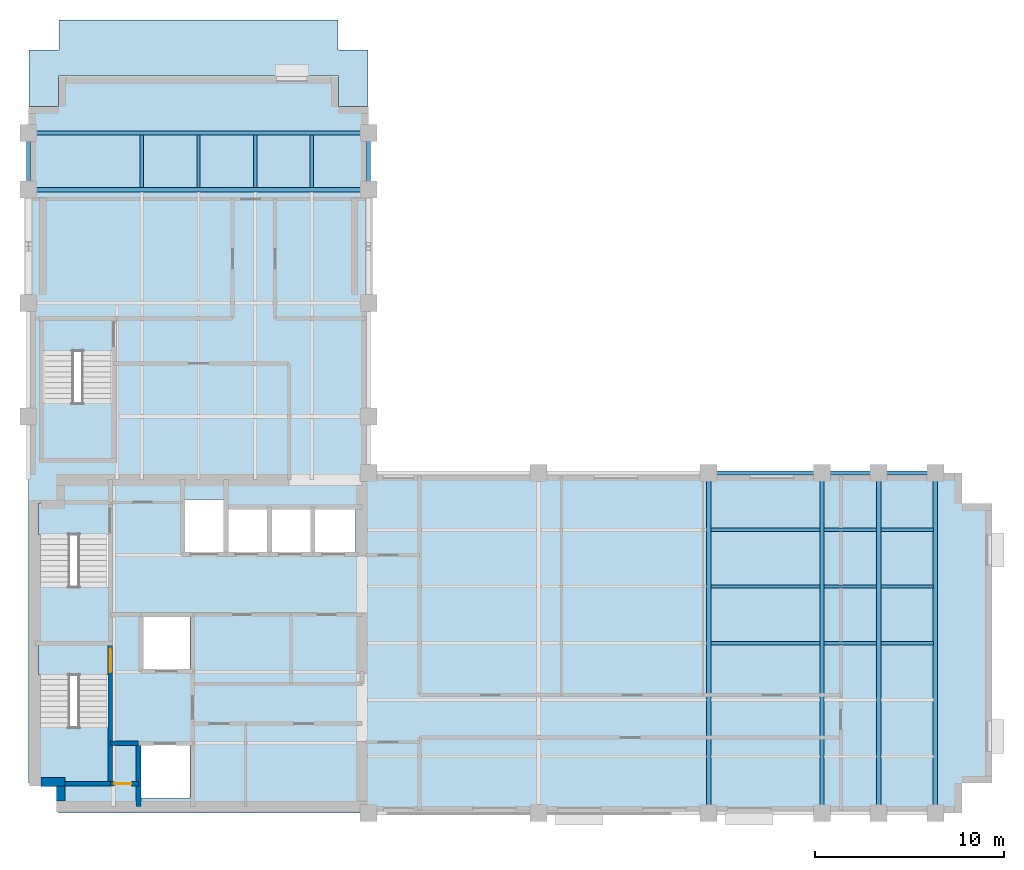
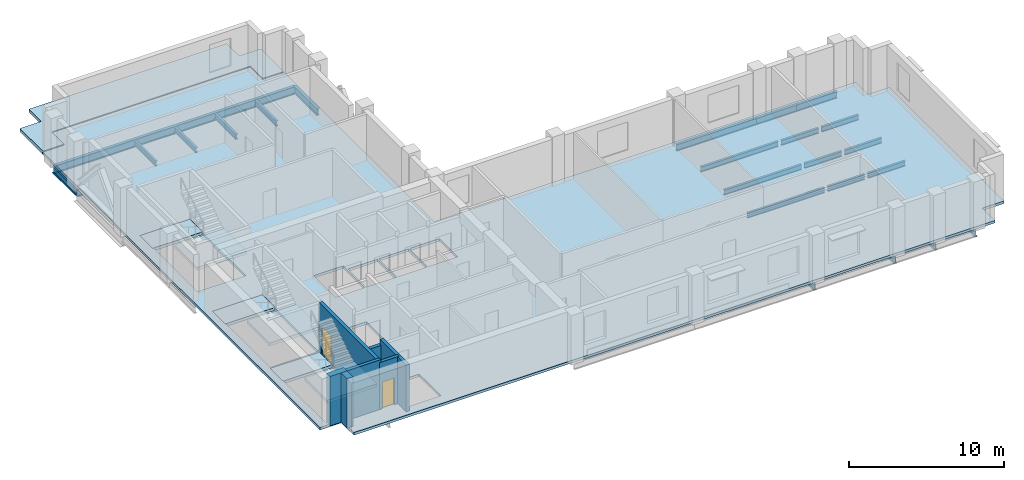
# One storey, part 2 of 6: 24 beams, 8 slabs, 7 walls, 2 doors, 2 openings, 3 elements without a shape of their own.
"""IFC4 building model written with IfcOpenShell, lengths in metres."""

import ifcopenshell
import ifcopenshell.guid

model = None  # the IFC model being written
_history = None  # IfcOwnerHistory: only IFC2X3 demands one
_inside = {}  # id of a spatial element -> (the spatial element, [elements in it])
_under = {}  # id of a project, library or spatial element -> (it, [spatial elements below it])
_declared = {}  # id of a project -> (the project, [libraries it declares])
_typed = {}  # id of a type object -> (the type object, [elements of that type])
_made_of = {}  # id of a material, layer set ... -> (it, [elements and type objects made of it])


def new_model(schema):
    """Start an empty IFC model of exactly this schema.

    Asked for "IFC4X3", IfcOpenShell would pick the latest addendum, in which some entities
    have other attributes; the version numbers below select the first issue.
    IFC2X3 requires an IfcOwnerHistory on every rooted entity: one is made here for all.
    """
    global model, _history
    if schema == "IFC4X3":
        model = ifcopenshell.file(schema_version=(4, 3, 0, 0))
    else:
        model = ifcopenshell.file(schema=schema)
    _inside.clear()
    _under.clear()
    _declared.clear()
    _typed.clear()
    _made_of.clear()
    _history = None
    if model.schema == "IFC2X3":
        org = make("IfcOrganization", Name="unknown")
        user = make(
            "IfcPersonAndOrganization",
            ThePerson=make("IfcPerson", FamilyName="unknown"),
            TheOrganization=org,
        )
        app = make(
            "IfcApplication",
            ApplicationDeveloper=org,
            Version="unknown",
            ApplicationFullName="unknown",
            ApplicationIdentifier="unknown",
        )
        _history = make(
            "IfcOwnerHistory",
            OwningUser=user,
            OwningApplication=app,
            ChangeAction="ADDED",
            CreationDate=0,
        )
    return model


def make(cls, **values):
    """One entity of the class cls with the attributes given. An attribute that is None is left unset."""
    return model.create_entity(
        cls, **{name: value for name, value in values.items() if value is not None}
    )


def rooted(cls, **values):
    """An entity with a GlobalId (a new one), such as an element, a storey or a relation."""
    return make(cls, GlobalId=ifcopenshell.guid.new(), OwnerHistory=_history, **values)


def si_unit(unit_type, name, prefix=None):
    """IfcSIUnit, for example si_unit("LENGTHUNIT", "METRE", prefix="MILLI")."""
    return make("IfcSIUnit", UnitType=unit_type, Prefix=prefix, Name=name)


def assignment(units):
    """IfcUnitAssignment: the units of a project."""
    return None if units is None else make("IfcUnitAssignment", Units=units)


def point(xyz):
    """IfcCartesianPoint."""
    return None if xyz is None else make("IfcCartesianPoint", Coordinates=xyz)


def direction(xyz):
    """IfcDirection."""
    return None if xyz is None else make("IfcDirection", DirectionRatios=xyz)


def frame(location, z_axis=None, x_axis=None):
    """IfcAxis2Placement3D, a coordinate frame: its origin and axes. An axis left out is left unset."""
    return make(
        "IfcAxis2Placement3D",
        Location=point(location),
        Axis=direction(z_axis),
        RefDirection=direction(x_axis),
    )


def frame_2d(location, x_axis=None):
    """IfcAxis2Placement2D, a coordinate frame in the plane: its origin and x axis."""
    return make(
        "IfcAxis2Placement2D", Location=point(location), RefDirection=direction(x_axis)
    )


def origin():
    """The frame at (0, 0, 0) with its axes left unset."""
    return frame((0.0, 0.0, 0.0))


def origin_2d():
    """The frame at (0, 0) in the plane with its x axis left unset."""
    return frame_2d((0.0, 0.0))


def place(relative_to, where):
    """IfcLocalPlacement: puts the frame where relative to a parent placement (None: the world)."""
    return make(
        "IfcLocalPlacement", PlacementRelTo=relative_to, RelativePlacement=where
    )


def context(
    kind, dimensions, precision=None, world=None, true_north=None, identifier=None
):
    """IfcGeometricRepresentationContext, for example the 3D "Model" context."""
    return make(
        "IfcGeometricRepresentationContext",
        ContextIdentifier=identifier,
        ContextType=kind,
        CoordinateSpaceDimension=dimensions,
        Precision=precision,
        WorldCoordinateSystem=world,
        TrueNorth=true_north,
    )


def subcontext(parent, identifier, kind, view, scale=None):
    """IfcGeometricRepresentationSubContext, for example "Body" below "Model"."""
    return make(
        "IfcGeometricRepresentationSubContext",
        ContextIdentifier=identifier,
        ContextType=kind,
        ParentContext=parent,
        TargetScale=scale,
        TargetView=view,
    )


def project(units=None, contexts=None):
    """IfcProject with its units and contexts."""
    return rooted(
        "IfcProject",
        Name="project",
        RepresentationContexts=contexts,
        UnitsInContext=assignment(units),
    )


def spatial(cls, under=None, at=None, **own):
    """A site, building, storey or space (cls), placed at a placement, below another one or the project."""
    s = rooted(cls, ObjectPlacement=at, **own)
    if under is not None:
        _under.setdefault(under.id(), (under, []))[1].append(s)
    return s


def polyline(points):
    """IfcPolyline through the points."""
    return make("IfcPolyline", Points=[point(p) for p in points])


def profile(cls, at=None, kind="AREA", **sizes):
    """A parametric profile (cls). Its sizes go by their IFC names, for example OverallWidth=200.0."""
    return make(cls, ProfileType=kind, Position=at, **sizes)


def rectangle(**sizes):
    """IfcRectangleProfileDef."""
    return profile("IfcRectangleProfileDef", **sizes)


def i_section(**sizes):
    """IfcIShapeProfileDef."""
    return profile("IfcIShapeProfileDef", **sizes)


def outline(outer, holes=None, kind="AREA"):
    """IfcArbitraryClosedProfileDef: a profile drawn as a closed curve; with holes, ...WithVoids."""
    if holes is None:
        return make("IfcArbitraryClosedProfileDef", ProfileType=kind, OuterCurve=outer)
    return make(
        "IfcArbitraryProfileDefWithVoids",
        ProfileType=kind,
        OuterCurve=outer,
        InnerCurves=holes,
    )


def extrude(swept, where, along, depth):
    """IfcExtrudedAreaSolid: the profile swept, set in the frame where, extruded along a direction by depth."""
    return make(
        "IfcExtrudedAreaSolid",
        SweptArea=swept,
        Position=where,
        ExtrudedDirection=direction(along),
        Depth=depth,
    )


def shape(context_of_items, identifier, shape_type, items):
    """IfcShapeRepresentation: the items that make up one representation, for example the "Body"."""
    return make(
        "IfcShapeRepresentation",
        ContextOfItems=context_of_items,
        RepresentationIdentifier=identifier,
        RepresentationType=shape_type,
        Items=items,
    )


def material(Name=None, Category=None):
    """IfcMaterial."""
    return make("IfcMaterial", Name=Name, Category=Category)


def layer(
    of_material, thickness, ventilated=None, Name=None, Category=None, Priority=None
):
    """IfcMaterialLayer: one layer of a wall or slab, of a material (None: an air gap)."""
    return make(
        "IfcMaterialLayer",
        Material=of_material,
        LayerThickness=thickness,
        IsVentilated=ventilated,
        Name=Name,
        Category=Category,
        Priority=Priority,
    )


def layer_set(layers, Name=None):
    """IfcMaterialLayerSet."""
    return make("IfcMaterialLayerSet", MaterialLayers=layers, LayerSetName=Name)


def material_profile(
    of_material, cross_section, Name=None, Category=None, Priority=None
):
    """IfcMaterialProfile: a cross section and its material."""
    return make(
        "IfcMaterialProfile",
        Name=Name,
        Material=of_material,
        Profile=cross_section,
        Priority=Priority,
        Category=Category,
    )


def profile_set(profiles, Name=None, composite=None):
    """IfcMaterialProfileSet."""
    return make(
        "IfcMaterialProfileSet",
        Name=Name,
        MaterialProfiles=profiles,
        CompositeProfile=composite,
    )


def made_of(thing, what):
    """Note that an element or type object is made of a material, layer set ...; save() writes the relation."""
    if what is not None:
        _made_of.setdefault(what.id(), (what, []))[1].append(thing)
    return thing


def type_object(cls, material=None, **own):
    """A type object (cls), such as IfcWallType, which elements share."""
    return made_of(rooted(cls, **own), material)


def element(
    cls,
    number,
    at=None,
    inside=None,
    cuts=None,
    type_object=None,
    material=None,
    context=None,
    identifier="Body",
    shape_type=None,
    held_by="IfcProductDefinitionShape",
    body=None,
    shapes=None,
    **own,
):
    """One element of the class cls, such as IfcWall. Its Tag is "e" and its number.

    at: its placement. inside: the storey or other place that contains it. cuts: it is an
    opening in that element (IfcRelVoidsElement). A single representation is given by context,
    identifier, shape_type and body (its items); several are given by shapes. held_by: the class
    of the entity that holds the representations. save() writes the other relations.
    """
    e = rooted(cls, Tag="e%d" % number, ObjectPlacement=at, **own)
    if body is not None:
        shapes = [shape(context, identifier, shape_type, body)]
    if shapes is not None:
        e.Representation = make(held_by, Representations=shapes)
    if inside is not None:
        _inside.setdefault(inside.id(), (inside, []))[1].append(e)
    if cuts is not None:
        rooted(
            "IfcRelVoidsElement", RelatingBuildingElement=cuts, RelatedOpeningElement=e
        )
    if type_object is not None:
        _typed.setdefault(type_object.id(), (type_object, []))[1].append(e)
    return made_of(e, material)


def fill(opening, filler):
    """IfcRelFillsElement: the door or window that sits in an opening."""
    return rooted(
        "IfcRelFillsElement",
        RelatingOpeningElement=opening,
        RelatedBuildingElement=filler,
    )


def aggregate(whole, parts):
    """IfcRelAggregates: a whole, such as a stair, and the parts it consists of."""
    return rooted("IfcRelAggregates", RelatingObject=whole, RelatedObjects=parts)


def save(model, path):
    """Write the relations noted so far, then the file.

    IfcRelAggregates (storeys below a building ...), IfcRelContainedInSpatialStructure (elements
    in a storey), IfcRelDefinesByType, IfcRelAssociatesMaterial and IfcRelDeclares: one each for
    every whole, place, type object, material and project.
    """
    for whole, parts in _under.values():
        aggregate(whole, parts)
    for where, things in _inside.values():
        rooted(
            "IfcRelContainedInSpatialStructure",
            RelatedElements=things,
            RelatingStructure=where,
        )
    for kind, things in _typed.values():
        rooted("IfcRelDefinesByType", RelatedObjects=things, RelatingType=kind)
    for what, things in _made_of.values():
        rooted("IfcRelAssociatesMaterial", RelatedObjects=things, RelatingMaterial=what)
    for by, libraries in _declared.values():
        rooted("IfcRelDeclares", RelatingContext=by, RelatedDefinitions=libraries)
    model.write(path)


model = new_model("IFC4")

# Units and contexts
model_context = context("Model", 3, precision=1e-05, world=origin(), true_north=direction((0.0, 1.0)))
body_context = subcontext(model_context, "Body", "Model", "MODEL_VIEW")
ifc_project = project(units=[si_unit("LENGTHUNIT", "METRE"), si_unit("AREAUNIT", "SQUARE_METRE"), si_unit("VOLUMEUNIT", "CUBIC_METRE"), si_unit("PLANEANGLEUNIT", "RADIAN"), si_unit("MASSUNIT", "GRAM", prefix="KILO")], contexts=[model_context])

# Site, building, storey
site_placement = place(None, origin())
site = spatial("IfcSite", under=ifc_project, at=site_placement, CompositionType="ELEMENT")
building_placement = place(site_placement, origin())
building = spatial("IfcBuilding", under=site, at=building_placement, Name="Mawjdan Bourse Tower", CompositionType="ELEMENT")
storey_placement = place(building_placement, frame((0.0, 0.0, 199.5)))
storey = spatial("IfcBuildingStorey", under=building, at=storey_placement, Name="L48", CompositionType="ELEMENT", Elevation=199.5)

# Beams
ifc_material_1 = material(Name="Structural Steel S355", Category="steel")
ifc_material_profile_1 = material_profile(ifc_material_1, i_section(OverallWidth=0.22998046875, OverallDepth=0.616943359375, WebThickness=0.01318359375, FlangeThickness=0.022216796875, FilletRadius=0.017822265625, at=origin_2d()), Name="W24X94")
ifc_profile_set_1 = profile_set([ifc_material_profile_1], Name="Structural Steel S355")
beam_type_1 = type_object("IfcBeamType", Name="GRD-W24X94", PredefinedType="BEAM", material=ifc_profile_set_1)
for number, where, z_axis, x_axis, name in (
    (1, (42.0, 3.0, -0.508544921875), (0.0, 1.0, 0.0), (-1.0, 0.0, 0.0), "L48 East Wing Clear-Span Girder 003"),
    (2, (48.0, 3.0, -0.508544921875), (0.0, 1.0, 0.0), (-1.0, 0.0, 0.0), "L48 East Wing Clear-Span Girder 004"),
    (3, (51.0, 3.0, -0.508544921875), (0.0, 1.0, 0.0), (-1.0, 0.0, 0.0), "L48 East Wing Clear-Span Girder 005"),
    (4, (54.0, 3.0, -0.508544921875), (0.0, 1.0, 0.0), (-1.0, 0.0, 0.0), "L48 East Wing Clear-Span Girder 006"),
    (5, (6.0, 36.0, -0.508544921875), (1.0, 0.0, 0.0), (0.0, 1.0, 0.0), "L48 North Wing Clear-Span Girder 049"),
    (6, (6.0, 39.0, -0.508544921875), (1.0, 0.0, 0.0), (0.0, 1.0, 0.0), "L48 North Wing Clear-Span Girder 050"),
):
    element("IfcBeam", number, at=place(storey_placement, frame(where, z_axis=z_axis, x_axis=x_axis)), inside=storey, type_object=beam_type_1, Name=name, PredefinedType="BEAM", context=body_context, shape_type="SweptSolid", body=[
        extrude(i_section(OverallWidth=0.22998046875, OverallDepth=0.616943359375, WebThickness=0.01318359375, FlangeThickness=0.022216796875, FilletRadius=0.017822265625, at=origin_2d()), origin(), (0.0, 0.0, 1.0), 18.0),
    ])
ifc_material_profile_2 = material_profile(ifc_material_1, i_section(OverallWidth=0.177978515625, OverallDepth=0.406982421875, WebThickness=0.0078125, FlangeThickness=0.0126953125, FilletRadius=0.01025390625, at=origin_2d()), Name="W16X40")
ifc_profile_set_2 = profile_set([ifc_material_profile_2], Name="Structural Steel S355")
beam_type_2 = type_object("IfcBeamType", Name="JST-W16X40", PredefinedType="JOIST", material=ifc_profile_set_2)
beam_1_placement = place(storey_placement, frame((42.113037109375, 12.0, -0.403564453125), z_axis=(1.0, 0.0, 0.0), x_axis=(0.0, 1.0, 0.0)))
element("IfcBeam", 7, at=beam_1_placement, inside=storey, type_object=beam_type_2, Name="L48 East Wing Composite Joist 029", PredefinedType="JOIST", context=body_context, shape_type="SweptSolid", body=[
    extrude(i_section(OverallWidth=0.177978515625, OverallDepth=0.406982421875, WebThickness=0.0078125, FlangeThickness=0.0126953125, FilletRadius=0.01025390625, at=origin_2d()), origin(), (0.0, 0.0, 1.0), 5.77392578125),
])
for number, where, z_axis, x_axis, name in (
    (8, (48.113037109375, 12.0, -0.403564453125), (1.0, 0.0, 0.0), (0.0, 1.0, 0.0), "L48 East Wing Composite Joist 030"),
    (9, (51.113037109375, 12.0, -0.403564453125), (1.0, 0.0, 0.0), (0.0, 1.0, 0.0), "L48 East Wing Composite Joist 031"),
):
    element("IfcBeam", number, at=place(storey_placement, frame(where, z_axis=z_axis, x_axis=x_axis)), inside=storey, type_object=beam_type_2, Name=name, PredefinedType="JOIST", context=body_context, shape_type="SweptSolid", body=[
        extrude(i_section(OverallWidth=0.177978515625, OverallDepth=0.406982421875, WebThickness=0.0078125, FlangeThickness=0.0126953125, FilletRadius=0.01025390625, at=origin_2d()), origin(), (0.0, 0.0, 1.0), 2.77392578125),
    ])
beam_2_placement = place(storey_placement, frame((42.113037109375, 15.0, -0.403564453125), z_axis=(1.0, 0.0, 0.0), x_axis=(0.0, 1.0, 0.0)))
element("IfcBeam", 10, at=beam_2_placement, inside=storey, type_object=beam_type_2, Name="L48 East Wing Composite Joist 034", PredefinedType="JOIST", context=body_context, shape_type="SweptSolid", body=[
    extrude(i_section(OverallWidth=0.177978515625, OverallDepth=0.406982421875, WebThickness=0.0078125, FlangeThickness=0.0126953125, FilletRadius=0.01025390625, at=origin_2d()), origin(), (0.0, 0.0, 1.0), 5.77392578125),
])
for number, where, z_axis, x_axis, name in (
    (11, (48.113037109375, 15.0, -0.403564453125), (1.0, 0.0, 0.0), (0.0, 1.0, 0.0), "L48 East Wing Composite Joist 035"),
    (12, (51.113037109375, 15.0, -0.403564453125), (1.0, 0.0, 0.0), (0.0, 1.0, 0.0), "L48 East Wing Composite Joist 036"),
):
    element("IfcBeam", number, at=place(storey_placement, frame(where, z_axis=z_axis, x_axis=x_axis)), inside=storey, type_object=beam_type_2, Name=name, PredefinedType="JOIST", context=body_context, shape_type="SweptSolid", body=[
        extrude(i_section(OverallWidth=0.177978515625, OverallDepth=0.406982421875, WebThickness=0.0078125, FlangeThickness=0.0126953125, FilletRadius=0.01025390625, at=origin_2d()), origin(), (0.0, 0.0, 1.0), 2.77392578125),
    ])
beam_3_placement = place(storey_placement, frame((42.113037109375, 18.0, -0.403564453125), z_axis=(1.0, 0.0, 0.0), x_axis=(0.0, 1.0, 0.0)))
element("IfcBeam", 13, at=beam_3_placement, inside=storey, type_object=beam_type_2, Name="L48 East Wing Composite Joist 039", PredefinedType="JOIST", context=body_context, shape_type="SweptSolid", body=[
    extrude(i_section(OverallWidth=0.177978515625, OverallDepth=0.406982421875, WebThickness=0.0078125, FlangeThickness=0.0126953125, FilletRadius=0.01025390625, at=origin_2d()), origin(), (0.0, 0.0, 1.0), 5.77392578125),
])
for number, where, z_axis, x_axis, name in (
    (14, (48.113037109375, 18.0, -0.403564453125), (1.0, 0.0, 0.0), (0.0, 1.0, 0.0), "L48 East Wing Composite Joist 040"),
    (15, (51.113037109375, 18.0, -0.403564453125), (1.0, 0.0, 0.0), (0.0, 1.0, 0.0), "L48 East Wing Composite Joist 041"),
    (16, (12.0, 36.113037109375, -0.403564453125), (0.0, 1.0, 0.0), (-1.0, 0.0, 0.0), "L48 North Wing Composite Joist 062"),
    (17, (15.0, 36.113037109375, -0.403564453125), (0.0, 1.0, 0.0), (-1.0, 0.0, 0.0), "L48 North Wing Composite Joist 066"),
    (18, (18.0, 36.113037109375, -0.403564453125), (0.0, 1.0, 0.0), (-1.0, 0.0, 0.0), "L48 North Wing Composite Joist 070"),
    (19, (21.0, 36.113037109375, -0.403564453125), (0.0, 1.0, 0.0), (-1.0, 0.0, 0.0), "L48 North Wing Composite Joist 074"),
):
    element("IfcBeam", number, at=place(storey_placement, frame(where, z_axis=z_axis, x_axis=x_axis)), inside=storey, type_object=beam_type_2, Name=name, PredefinedType="JOIST", context=body_context, shape_type="SweptSolid", body=[
        extrude(i_section(OverallWidth=0.177978515625, OverallDepth=0.406982421875, WebThickness=0.0078125, FlangeThickness=0.0126953125, FilletRadius=0.01025390625, at=origin_2d()), origin(), (0.0, 0.0, 1.0), 2.77392578125),
    ])
ifc_material_profile_3 = material_profile(ifc_material_1, i_section(OverallWidth=0.2099609375, OverallDepth=0.537109375, WebThickness=0.010986328125, FlangeThickness=0.017333984375, FilletRadius=0.013916015625, at=origin_2d()), Name="W21X68")
ifc_profile_set_3 = profile_set([ifc_material_profile_3], Name="Structural Steel S355")
beam_type_3 = type_object("IfcBeamType", Name="SPN-W21X68", PredefinedType="SPANDREL", material=ifc_profile_set_3)
beam_4_placement = place(storey_placement, frame((42.0, 21.0, -0.468505859375), z_axis=(1.0, 0.0, 0.0), x_axis=(0.0, 1.0, 0.0)))
element("IfcBeam", 20, at=beam_4_placement, inside=storey, type_object=beam_type_3, Name="L48 Perimeter Masonry-Shelf Spandrel 014", PredefinedType="SPANDREL", context=body_context, shape_type="SweptSolid", body=[
    extrude(i_section(OverallWidth=0.2099609375, OverallDepth=0.537109375, WebThickness=0.010986328125, FlangeThickness=0.017333984375, FilletRadius=0.013916015625, at=origin_2d()), origin(), (0.0, 0.0, 1.0), 6.0),
])
for number, where, z_axis, x_axis, name in (
    (21, (48.0, 21.0, -0.468505859375), (1.0, 0.0, 0.0), (0.0, 1.0, 0.0), "L48 Perimeter Masonry-Shelf Spandrel 015"),
    (22, (51.0, 21.0, -0.468505859375), (1.0, 0.0, 0.0), (0.0, 1.0, 0.0), "L48 Perimeter Masonry-Shelf Spandrel 016"),
    (23, (6.0, 36.0, -0.468505859375), (0.0, 1.0, 0.0), (-1.0, 0.0, 0.0), "L48 North Wing Spandrel 054"),
    (24, (24.0, 36.0, -0.468505859375), (0.0, 1.0, 0.0), (-1.0, 0.0, 0.0), "L48 North Wing Spandrel 058"),
):
    element("IfcBeam", number, at=place(storey_placement, frame(where, z_axis=z_axis, x_axis=x_axis)), inside=storey, type_object=beam_type_3, Name=name, PredefinedType="SPANDREL", context=body_context, shape_type="SweptSolid", body=[
        extrude(i_section(OverallWidth=0.2099609375, OverallDepth=0.537109375, WebThickness=0.010986328125, FlangeThickness=0.017333984375, FilletRadius=0.013916015625, at=origin_2d()), origin(), (0.0, 0.0, 1.0), 3.0),
    ])

# Stair, slabs
ifc_material_2 = material(Name="Concrete C50/60", Category="concrete")
stair_type = type_object("IfcStairType", Name="STR-CORE-1500", PredefinedType="HALF_TURN_STAIR", material=ifc_material_2)
stair_1_placement = place(storey_placement, origin())
stair_1 = element("IfcStair", 25, at=stair_1_placement, inside=storey, type_object=stair_type, Name="L48 Exit Stair 1 (Core South-West)", PredefinedType="HALF_TURN_STAIR")
ifc_layer_1 = layer(ifc_material_2, 0.22998046875)
ifc_layer_set_1 = layer_set([ifc_layer_1], Name="Concrete C50/60")
slab_type_1 = type_object("IfcSlabType", Name="SL-LND-230", PredefinedType="LANDING", material=ifc_layer_set_1)
slab_1_placement = place(storey_placement, frame((0.0, 0.0, -0.22998046875)))
slab_1 = element("IfcSlab", 26, at=slab_1_placement, type_object=slab_type_1, Name="ST1-L48 landing 1", PredefinedType="LANDING", context=body_context, shape_type="SweptSolid", body=[
    extrude(outline(polyline([(6.5400390625, 10.31005859375), (10.260009765625, 10.31005859375), (10.260009765625, 11.969970703125), (6.5400390625, 11.969970703125), (6.5400390625, 10.31005859375)])), origin(), (0.0, 0.0, 1.0), 0.22998046875),
])
slab_2_placement = place(storey_placement, frame((0.0, 0.0, 1.719970703125)))
slab_2 = element("IfcSlab", 27, at=slab_2_placement, type_object=slab_type_1, Name="ST1-L48 landing 2", PredefinedType="LANDING", context=body_context, shape_type="SweptSolid", body=[
    extrude(outline(polyline([(6.5400390625, 4.590087890625), (10.260009765625, 4.590087890625), (10.260009765625, 7.5400390625), (6.5400390625, 7.5400390625), (6.5400390625, 4.590087890625)])), origin(), (0.0, 0.0, 1.0), 0.22998046875),
])
aggregate(stair_1, [slab_1, slab_2])

stair_2_placement = place(storey_placement, origin())
stair_2 = element("IfcStair", 28, at=stair_2_placement, inside=storey, type_object=stair_type, Name="L48 Exit Stair 2 (Core North-West)", PredefinedType="HALF_TURN_STAIR")
slab_3_placement = place(storey_placement, frame((0.0, 0.0, -0.22998046875)))
slab_3 = element("IfcSlab", 29, at=slab_3_placement, type_object=slab_type_1, Name="ST2-L48 landing 1", PredefinedType="LANDING", context=body_context, shape_type="SweptSolid", body=[
    extrude(outline(polyline([(6.5400390625, 17.75), (10.260009765625, 17.75), (10.260009765625, 19.409912109375), (6.5400390625, 19.409912109375), (6.5400390625, 17.75)])), origin(), (0.0, 0.0, 1.0), 0.22998046875),
])
slab_4_placement = place(storey_placement, frame((0.0, 0.0, 1.719970703125)))
slab_4 = element("IfcSlab", 30, at=slab_4_placement, type_object=slab_type_1, Name="ST2-L48 landing 2", PredefinedType="LANDING", context=body_context, shape_type="SweptSolid", body=[
    extrude(outline(polyline([(6.5400390625, 12.030029296875), (10.260009765625, 12.030029296875), (10.260009765625, 14.97998046875), (6.5400390625, 14.97998046875), (6.5400390625, 12.030029296875)])), origin(), (0.0, 0.0, 1.0), 0.22998046875),
])
aggregate(stair_2, [slab_3, slab_4])

stair_3_placement = place(storey_placement, origin())
stair_3 = element("IfcStair", 31, at=stair_3_placement, inside=storey, type_object=stair_type, Name="L48 Exit Stair 3 (North Wing)", PredefinedType="HALF_TURN_STAIR")
slab_5_placement = place(storey_placement, frame((0.0, 0.0, -0.22998046875)))
slab_5 = element("IfcSlab", 32, at=slab_5_placement, type_object=slab_type_1, Name="ST3-L48 landing 1", PredefinedType="LANDING", context=body_context, shape_type="SweptSolid", body=[
    extrude(outline(polyline([(6.739990234375, 27.4599609375), (10.4599609375, 27.4599609375), (10.4599609375, 29.1201171875), (6.739990234375, 29.1201171875), (6.739990234375, 27.4599609375)])), origin(), (0.0, 0.0, 1.0), 0.22998046875),
])
slab_6_placement = place(storey_placement, frame((0.0, 0.0, 1.719970703125)))
slab_6 = element("IfcSlab", 33, at=slab_6_placement, type_object=slab_type_1, Name="ST3-L48 landing 2", PredefinedType="LANDING", context=body_context, shape_type="SweptSolid", body=[
    extrude(outline(polyline([(6.739990234375, 21.739990234375), (10.4599609375, 21.739990234375), (10.4599609375, 24.68994140625), (6.739990234375, 24.68994140625), (6.739990234375, 21.739990234375)])), origin(), (0.0, 0.0, 1.0), 0.22998046875),
])
aggregate(stair_3, [slab_5, slab_6])

# Slabs
ifc_layer_2 = layer(ifc_material_2, 0.199951171875)
ifc_layer_set_2 = layer_set([ifc_layer_2], Name="Concrete C50/60")
slab_type_2 = type_object("IfcSlabType", Name="SL-OFC-200", PredefinedType="FLOOR", material=ifc_layer_set_2)
slab_7_placement = place(storey_placement, frame((0.0, 0.0, -0.199951171875)))
element("IfcSlab", 34, at=slab_7_placement, inside=storey, type_object=slab_type_2, Name="L48 Structural Floor Slab 1", PredefinedType="FLOOR", context=body_context, shape_type="SweptSolid", body=[
    extrude(outline(polyline([(7.60009765625, 3.0), (55.39990234375, 3.0), (55.39990234375, 4.60009765625), (57.0, 4.60009765625), (57.0, 19.39990234375), (55.39990234375, 19.39990234375), (55.39990234375, 21.0), (24.0, 21.0), (24.0, 40.39990234375), (22.39990234375, 40.39990234375), (22.39990234375, 42.0), (7.60009765625, 42.0), (7.60009765625, 40.39990234375), (6.0, 40.39990234375), (6.0, 4.60009765625), (7.60009765625, 4.60009765625), (7.60009765625, 3.0)]), holes=[polyline([(6.5400390625, 11.969970703125), (10.260009765625, 11.969970703125), (10.260009765625, 10.31005859375), (10.199951171875, 10.31005859375), (10.199951171875, 4.64990234375), (6.60009765625, 4.64990234375), (6.60009765625, 10.31005859375), (6.5400390625, 10.31005859375), (6.5400390625, 11.969970703125)]), polyline([(6.60009765625, 12.090087890625), (6.60009765625, 17.75), (6.5400390625, 17.75), (6.5400390625, 19.409912109375), (10.260009765625, 19.409912109375), (10.260009765625, 17.75), (10.199951171875, 17.75), (10.199951171875, 12.090087890625), (6.60009765625, 12.090087890625)]), polyline([(10.4599609375, 29.1201171875), (10.4599609375, 27.4599609375), (10.39990234375, 27.4599609375), (10.39990234375, 21.800048828125), (6.800048828125, 21.800048828125), (6.800048828125, 27.4599609375), (6.739990234375, 27.4599609375), (6.739990234375, 29.1201171875), (10.4599609375, 29.1201171875)]), polyline([(14.550048828125, 3.800048828125), (11.949951171875, 3.800048828125), (11.949951171875, 6.60009765625), (14.550048828125, 6.60009765625), (14.550048828125, 3.800048828125)]), polyline([(12.050048828125, 10.60009765625), (12.050048828125, 13.39990234375), (14.550048828125, 13.39990234375), (14.550048828125, 10.60009765625), (12.050048828125, 10.60009765625)]), polyline([(16.5, 16.800048828125), (16.5, 19.14990234375), (18.699951171875, 19.14990234375), (18.699951171875, 16.800048828125), (16.5, 16.800048828125)]), polyline([(21.0, 16.800048828125), (18.800048828125, 16.800048828125), (18.800048828125, 19.14990234375), (21.0, 19.14990234375), (21.0, 16.800048828125)]), polyline([(21.10009765625, 16.800048828125), (21.10009765625, 19.14990234375), (23.300048828125, 19.14990234375), (23.300048828125, 16.800048828125), (21.10009765625, 16.800048828125)]), polyline([(14.199951171875, 16.800048828125), (14.199951171875, 19.60009765625), (16.39990234375, 19.60009765625), (16.39990234375, 16.800048828125), (14.199951171875, 16.800048828125)])]), origin(), (0.0, 0.0, 1.0), 0.199951171875),
])
ifc_layer_3 = layer(ifc_material_2, 0.260009765625)
ifc_layer_set_3 = layer_set([ifc_layer_3], Name="Concrete C50/60")
slab_type_3 = type_object("IfcSlabType", Name="SL-ROOF-260", PredefinedType="ROOF", material=ifc_layer_set_3)
slab_8_placement = place(storey_placement, frame((0.0, 0.0, -0.2109375)))
element("IfcSlab", 35, at=slab_8_placement, inside=storey, type_object=slab_type_3, Name="L48 Setback Weather Roof 1", PredefinedType="ROOF", context=body_context, shape_type="SweptSolid", body=[
    extrude(outline(polyline([(6.02001953125, 40.429931640625), (6.02001953125, 40.427978515625), (6.0205078125, 40.426025390625), (6.02099609375, 40.42431640625), (6.021484375, 40.42236328125), (6.0224609375, 40.420654296875), (6.0234375, 40.4189453125), (6.0244140625, 40.417236328125), (6.02587890625, 40.416015625), (6.02734375, 40.41455078125), (6.02880859375, 40.413330078125), (6.030517578125, 40.412353515625), (6.0322265625, 40.41162109375), (6.0341796875, 40.410888671875), (6.0361328125, 40.410400390625), (6.0380859375, 40.41015625), (6.0400390625, 40.409912109375), (7.570068359375, 40.409912109375), (7.572021484375, 40.41015625), (7.573974609375, 40.410400390625), (7.57568359375, 40.410888671875), (7.57763671875, 40.41162109375), (7.579345703125, 40.412353515625), (7.5810546875, 40.413330078125), (7.582763671875, 40.41455078125), (7.583984375, 40.416015625), (7.58544921875, 40.417236328125), (7.586669921875, 40.4189453125), (7.587646484375, 40.420654296875), (7.58837890625, 40.42236328125), (7.589111328125, 40.42431640625), (7.589599609375, 40.426025390625), (7.58984375, 40.427978515625), (7.590087890625, 40.429931640625), (7.590087890625, 41.999755859375), (7.590087890625, 42.000244140625), (7.590087890625, 42.00048828125), (7.590087890625, 42.00146484375), (7.59033203125, 42.00244140625), (7.590576171875, 42.00341796875), (7.591064453125, 42.00439453125), (7.59130859375, 42.005126953125), (7.592041015625, 42.005859375), (7.592529296875, 42.006591796875), (7.59326171875, 42.00732421875), (7.593994140625, 42.008056640625), (7.594970703125, 42.008544921875), (7.595703125, 42.009033203125), (7.5966796875, 42.009521484375), (7.59765625, 42.009765625), (7.598388671875, 42.010009765625), (7.599609375, 42.010009765625), (7.599853515625, 42.010009765625), (7.60009765625, 42.010009765625), (22.39990234375, 42.010009765625), (22.400146484375, 42.010009765625), (22.400390625, 42.010009765625), (22.401611328125, 42.010009765625), (22.40234375, 42.009765625), (22.4033203125, 42.009521484375), (22.404296875, 42.009033203125), (22.405029296875, 42.008544921875), (22.406005859375, 42.008056640625), (22.40673828125, 42.00732421875), (22.407470703125, 42.006591796875), (22.407958984375, 42.006103515625), (22.40869140625, 42.005126953125), (22.408935546875, 42.00439453125), (22.409423828125, 42.00341796875), (22.40966796875, 42.00244140625), (22.409912109375, 42.00146484375), (22.409912109375, 42.00048828125), (22.409912109375, 42.000244140625), (22.409912109375, 41.999755859375), (22.409912109375, 40.429931640625), (22.41015625, 40.427978515625), (22.410400390625, 40.426025390625), (22.410888671875, 40.42431640625), (22.41162109375, 40.42236328125), (22.412353515625, 40.420654296875), (22.413330078125, 40.4189453125), (22.41455078125, 40.417236328125), (22.416015625, 40.416015625), (22.417236328125, 40.41455078125), (22.4189453125, 40.413330078125), (22.420654296875, 40.412353515625), (22.42236328125, 40.41162109375), (22.42431640625, 40.410888671875), (22.426025390625, 40.410400390625), (22.427978515625, 40.41015625), (22.429931640625, 40.409912109375), (23.9599609375, 40.409912109375), (23.9619140625, 40.41015625), (23.9638671875, 40.410400390625), (23.9658203125, 40.410888671875), (23.9677734375, 40.41162109375), (23.969482421875, 40.412353515625), (23.97119140625, 40.413330078125), (23.97265625, 40.41455078125), (23.97412109375, 40.416015625), (23.9755859375, 40.417236328125), (23.9765625, 40.4189453125), (23.9775390625, 40.420654296875), (23.978515625, 40.42236328125), (23.97900390625, 40.42431640625), (23.9794921875, 40.426025390625), (23.97998046875, 40.427978515625), (23.97998046875, 40.429931640625), (23.97998046875, 43.360107421875), (23.97998046875, 43.362060546875), (23.9794921875, 43.364013671875), (23.97900390625, 43.36572265625), (23.978515625, 43.36767578125), (23.9775390625, 43.369384765625), (23.9765625, 43.37109375), (23.9755859375, 43.372802734375), (23.97412109375, 43.3740234375), (23.97265625, 43.37548828125), (23.97119140625, 43.376708984375), (23.969482421875, 43.377685546875), (23.9677734375, 43.37841796875), (23.9658203125, 43.379150390625), (23.9638671875, 43.379638671875), (23.9619140625, 43.3798828125), (23.9599609375, 43.3798828125), (22.400146484375, 43.3798828125), (22.39990234375, 43.3798828125), (22.3984375, 43.380126953125), (22.397705078125, 43.380126953125), (22.396484375, 43.38037109375), (22.3955078125, 43.380615234375), (22.394775390625, 43.380615234375), (22.393798828125, 43.381103515625), (22.392822265625, 43.38134765625), (22.391845703125, 43.381591796875), (22.39111328125, 43.382080078125), (22.39013671875, 43.382568359375), (22.389404296875, 43.383056640625), (22.388427734375, 43.3837890625), (22.3876953125, 43.38427734375), (22.386962890625, 43.385009765625), (22.38623046875, 43.385498046875), (22.385498046875, 43.38623046875), (22.385009765625, 43.386962890625), (22.38427734375, 43.3876953125), (22.3837890625, 43.388427734375), (22.383056640625, 43.389404296875), (22.382568359375, 43.39013671875), (22.382080078125, 43.39111328125), (22.381591796875, 43.391845703125), (22.38134765625, 43.392822265625), (22.381103515625, 43.393798828125), (22.380615234375, 43.394775390625), (22.380615234375, 43.3955078125), (22.38037109375, 43.396484375), (22.380126953125, 43.397705078125), (22.380126953125, 43.3984375), (22.3798828125, 43.39990234375), (22.3798828125, 43.400146484375), (22.3798828125, 44.9599609375), (22.3798828125, 44.9619140625), (22.379638671875, 44.9638671875), (22.379150390625, 44.9658203125), (22.37841796875, 44.9677734375), (22.377685546875, 44.969482421875), (22.376708984375, 44.97119140625), (22.37548828125, 44.97265625), (22.3740234375, 44.97412109375), (22.372802734375, 44.9755859375), (22.37109375, 44.9765625), (22.369384765625, 44.9775390625), (22.36767578125, 44.978515625), (22.36572265625, 44.97900390625), (22.364013671875, 44.9794921875), (22.362060546875, 44.97998046875), (22.360107421875, 44.97998046875), (7.639892578125, 44.97998046875), (7.637939453125, 44.97998046875), (7.635986328125, 44.9794921875), (7.63427734375, 44.97900390625), (7.63232421875, 44.978515625), (7.630615234375, 44.9775390625), (7.62890625, 44.9765625), (7.627197265625, 44.9755859375), (7.6259765625, 44.97412109375), (7.62451171875, 44.97265625), (7.623291015625, 44.97119140625), (7.622314453125, 44.969482421875), (7.62158203125, 44.9677734375), (7.620849609375, 44.9658203125), (7.620361328125, 44.9638671875), (7.6201171875, 44.9619140625), (7.6201171875, 44.9599609375), (7.6201171875, 43.400146484375), (7.6201171875, 43.39990234375), (7.619873046875, 43.3984375), (7.619873046875, 43.397705078125), (7.61962890625, 43.396484375), (7.619384765625, 43.3955078125), (7.619384765625, 43.394775390625), (7.618896484375, 43.393798828125), (7.61865234375, 43.392822265625), (7.618408203125, 43.391845703125), (7.617919921875, 43.39111328125), (7.617431640625, 43.39013671875), (7.616943359375, 43.389404296875), (7.6162109375, 43.388427734375), (7.61572265625, 43.3876953125), (7.614990234375, 43.386962890625), (7.614501953125, 43.38623046875), (7.61376953125, 43.385498046875), (7.613037109375, 43.385009765625), (7.6123046875, 43.38427734375), (7.611572265625, 43.3837890625), (7.610595703125, 43.383056640625), (7.60986328125, 43.382568359375), (7.60888671875, 43.382080078125), (7.608154296875, 43.381591796875), (7.607177734375, 43.38134765625), (7.606201171875, 43.381103515625), (7.605224609375, 43.380615234375), (7.6044921875, 43.380615234375), (7.603515625, 43.38037109375), (7.602294921875, 43.380126953125), (7.6015625, 43.380126953125), (7.60009765625, 43.3798828125), (7.599853515625, 43.3798828125), (6.0400390625, 43.3798828125), (6.0380859375, 43.3798828125), (6.0361328125, 43.379638671875), (6.0341796875, 43.379150390625), (6.0322265625, 43.37841796875), (6.030517578125, 43.377685546875), (6.02880859375, 43.376708984375), (6.02734375, 43.37548828125), (6.02587890625, 43.3740234375), (6.0244140625, 43.372802734375), (6.0234375, 43.37109375), (6.0224609375, 43.369384765625), (6.021484375, 43.36767578125), (6.02099609375, 43.36572265625), (6.0205078125, 43.364013671875), (6.02001953125, 43.362060546875), (6.02001953125, 43.360107421875), (6.02001953125, 40.429931640625)])), origin(), (0.0, 0.0, 1.0), 0.260009765625),
])

# Walls
ifc_material_3 = material(Name="Concrete C60/75", Category="concrete")
ifc_layer_4 = layer(ifc_material_3, 0.449951171875)
ifc_layer_set_4 = layer_set([ifc_layer_4], Name="Concrete C60/75")
wall_type_1 = type_object("IfcWallType", Name="WL-CORE-450", PredefinedType="SHEAR", material=ifc_layer_set_4)
wall_1_placement = place(storey_placement, frame((6.64990234375, 4.64990234375, 0.0), z_axis=(0.0, 0.0, 1.0), x_axis=(1.0, 0.0, 0.0)))
element("IfcWall", 36, at=wall_1_placement, inside=storey, type_object=wall_type_1, Name="L48 Rear Core Shear Wall SW-X", PredefinedType="SHEAR", context=body_context, shape_type="SweptSolid", body=[
    extrude(rectangle(XDim=1.275146484375, YDim=0.449951171875, at=frame_2d((0.6376953125, 0.0))), origin(), (0.0, 0.0, 1.0), 3.89990234375),
])
wall_2_placement = place(storey_placement, frame((7.699951171875, 3.64990234375, 0.0), z_axis=(0.0, 0.0, 1.0), x_axis=(0.0, 1.0, 0.0)))
element("IfcWall", 37, at=wall_2_placement, inside=storey, type_object=wall_type_1, Name="L48 Rear Core Shear Wall SW-Y", PredefinedType="SHEAR", context=body_context, shape_type="SweptSolid", body=[
    extrude(rectangle(XDim=0.775146484375, YDim=0.449951171875, at=frame_2d((0.3876953125, 0.0))), origin(), (0.0, 0.0, 1.0), 3.89990234375),
])

# Wall, opening, door
ifc_layer_5 = layer(ifc_material_2, 0.25)
ifc_layer_set_5 = layer_set([ifc_layer_5], Name="Concrete C50/60")
wall_type_2 = type_object("IfcWallType", Name="WL-SHFT-250", PredefinedType="PARTITIONING", material=ifc_layer_set_5)
wall_3_placement = place(storey_placement, frame((10.330078125, 4.550048828125, 0.0), z_axis=(0.0, 0.0, 1.0), x_axis=(1.0, 0.0, 0.0)))
wall_3 = element("IfcWall", 38, at=wall_3_placement, inside=storey, type_object=wall_type_2, Name="L48 SW Riser North Wall", PredefinedType="PARTITIONING", context=body_context, shape_type="SweptSolid", body=[
    extrude(rectangle(XDim=1.489990234375, YDim=0.25, at=frame_2d((0.7451171875, 0.0))), origin(), (0.0, 0.0, 1.0), 3.68994140625),
])
opening_1_placement = place(wall_3_placement, frame((0.219970703125, 0.0, 0.0)))
opening_1 = element("IfcOpeningElement", 39, at=opening_1_placement, cuts=wall_3, Name="Opening RD-L48-03", PredefinedType="OPENING", context=body_context, shape_type="SweptSolid", body=[
    extrude(rectangle(XDim=0.89990234375, YDim=2.10009765625, at=frame_2d((0.449951171875, 1.050048828125))), frame((0.0, 0.135009765625, 0.0), z_axis=(0.0, -1.0, 0.0), x_axis=(1.0, 0.0, 0.0)), (0.0, 0.0, 1.0), 0.27001953125),
])
ifc_material_4 = material(Name="Fire-Rated Steel Access Leaf", Category="steel")
door_type_1 = type_object("IfcDoorType", Name="FD-RSR-0900", OperationType="NOTDEFINED", PredefinedType="TRAPDOOR", material=ifc_material_4)
door_1_placement = place(opening_1_placement, origin())
door_1 = element("IfcDoor", 40, at=door_1_placement, inside=storey, type_object=door_type_1, Name="L48 Electrical Riser Access Door RD-L48-03", OperationType="SINGLE_SWING_LEFT", OverallHeight=2.10009765625, OverallWidth=0.89990234375, PredefinedType="TRAPDOOR", context=body_context, shape_type="SweptSolid", body=[
    extrude(rectangle(XDim=0.89990234375, YDim=2.10009765625, at=frame_2d((0.449951171875, 1.050048828125))), frame((0.0, 0.02490234375, 0.0), z_axis=(0.0, -1.0, 0.0), x_axis=(1.0, 0.0, 0.0)), (0.0, 0.0, 1.0), 0.050048828125),
])
fill(opening_1, door_1)

# Walls
wall_4_placement = place(storey_placement, frame((11.820068359375, 3.35009765625, 0.0), z_axis=(0.0, 0.0, 1.0), x_axis=(0.0, 1.0, 0.0)))
element("IfcWall", 41, at=wall_4_placement, inside=storey, type_object=wall_type_2, Name="L48 SW Riser & FFL01 West Wall", PredefinedType="PARTITIONING", context=body_context, shape_type="SweptSolid", body=[
    extrude(rectangle(XDim=3.349853515625, YDim=0.25, at=frame_2d((1.6748046875, 0.0))), origin(), (0.0, 0.0, 1.0), 3.68994140625),
])
wall_5_placement = place(storey_placement, frame((10.330078125, 6.699951171875, 0.0), z_axis=(0.0, 0.0, 1.0), x_axis=(1.0, 0.0, 0.0)))
element("IfcWall", 42, at=wall_5_placement, inside=storey, type_object=wall_type_2, Name="L48 Firefighting Lobby South Closure Wall", PredefinedType="PARTITIONING", context=body_context, shape_type="SweptSolid", body=[
    extrude(rectangle(XDim=1.489990234375, YDim=0.25, at=frame_2d((0.7451171875, 0.0))), origin(), (0.0, 0.0, 1.0), 3.282958984375),
])
ifc_layer_6 = layer(ifc_material_2, 0.25)
ifc_layer_set_6 = layer_set([ifc_layer_6], Name="Concrete C50/60")
wall_type_3 = type_object("IfcWallType", Name="WL-STRW-250", PredefinedType="SHEAR", material=ifc_layer_set_6)
wall_6_placement = place(storey_placement, frame((7.699951171875, 4.550048828125, 0.0), z_axis=(0.0, 0.0, 1.0), x_axis=(1.0, 0.0, 0.0)))
element("IfcWall", 43, at=wall_6_placement, inside=storey, type_object=wall_type_3, Name="L48 Stairwell ST1 South Shaft Wall", PredefinedType="SHEAR", context=body_context, shape_type="SweptSolid", body=[
    extrude(rectangle(XDim=2.755126953125, YDim=0.25, at=frame_2d((1.37744140625, 0.0))), origin(), (0.0, 0.0, 1.0), 3.89990234375),
])

# Wall, opening, door
wall_7_placement = place(storey_placement, frame((10.330078125, 4.550048828125, 0.0), z_axis=(0.0, 0.0, 1.0), x_axis=(0.0, 1.0, 0.0)))
wall_7 = element("IfcWall", 44, at=wall_7_placement, inside=storey, type_object=wall_type_3, Name="L48 Stairwell ST1 East Enclosure Wall", PredefinedType="SHEAR", context=body_context, shape_type="SweptSolid", body=[
    extrude(rectangle(XDim=7.449951171875, YDim=0.25, at=frame_2d((3.72509765625, 0.0))), origin(), (0.0, 0.0, 1.0), 3.89990234375),
])
opening_2_placement = place(wall_7_placement, frame((5.89990234375, 0.0, 0.0)))
opening_2 = element("IfcOpeningElement", 45, at=opening_2_placement, cuts=wall_7, Name="Opening SD-L48-01", PredefinedType="OPENING", context=body_context, shape_type="SweptSolid", body=[
    extrude(rectangle(XDim=1.25, YDim=2.199951171875, at=frame_2d((0.625, 1.10009765625))), frame((0.0, 0.135009765625, 0.0), z_axis=(0.0, -1.0, 0.0), x_axis=(1.0, 0.0, 0.0)), (0.0, 0.0, 1.0), 0.27001953125),
])
ifc_material_5 = material(Name="Fire-Rated Steel Leaf", Category="steel")
door_type_2 = type_object("IfcDoorType", Name="FD-ST-1250", OperationType="NOTDEFINED", PredefinedType="DOOR", material=ifc_material_5)
door_2_placement = place(opening_2_placement, origin())
door_2 = element("IfcDoor", 46, at=door_2_placement, inside=storey, type_object=door_type_2, Name="L48 Exit Stair ST1 Fire Door SD-L48-01", OperationType="SINGLE_SWING_LEFT", OverallHeight=2.199951171875, OverallWidth=1.25, PredefinedType="DOOR", context=body_context, shape_type="SweptSolid", body=[
    extrude(rectangle(XDim=1.25, YDim=2.199951171875, at=frame_2d((0.625, 1.10009765625))), frame((0.0, 0.02490234375, 0.0), z_axis=(0.0, -1.0, 0.0), x_axis=(1.0, 0.0, 0.0)), (0.0, 0.0, 1.0), 0.050048828125),
])
fill(opening_2, door_2)

save(model, "model.ifc")
